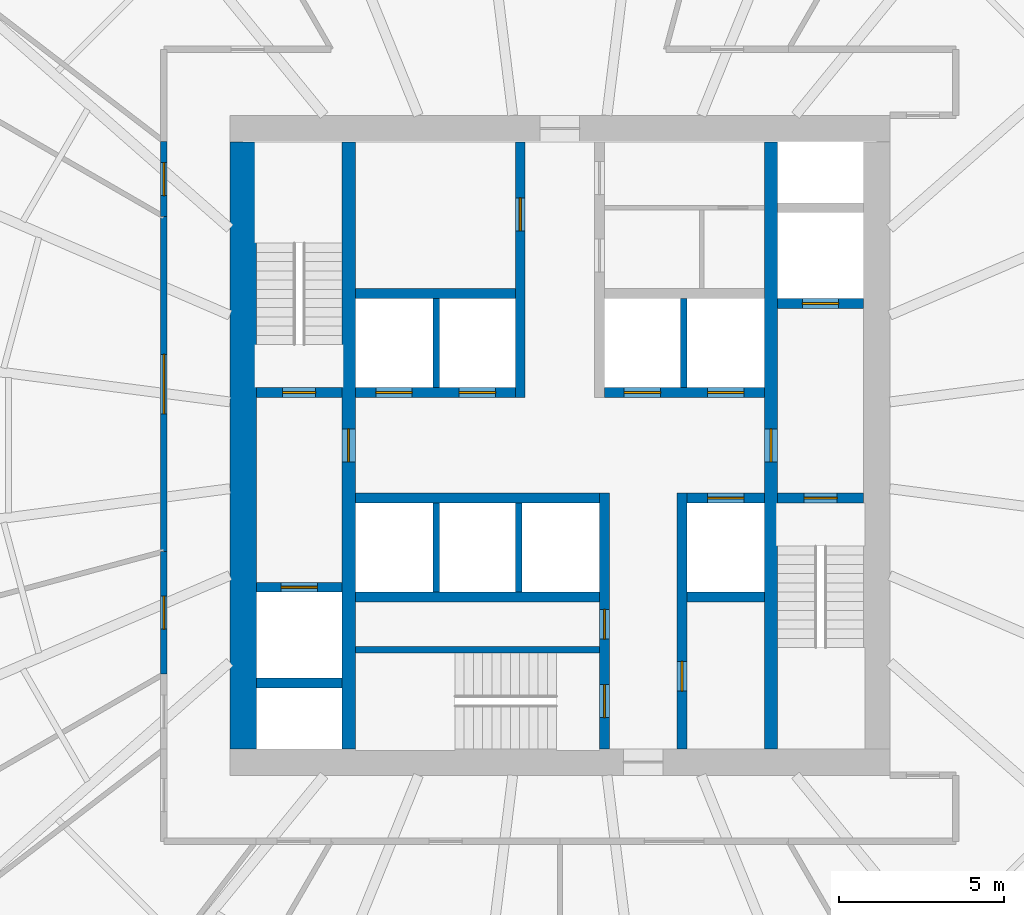
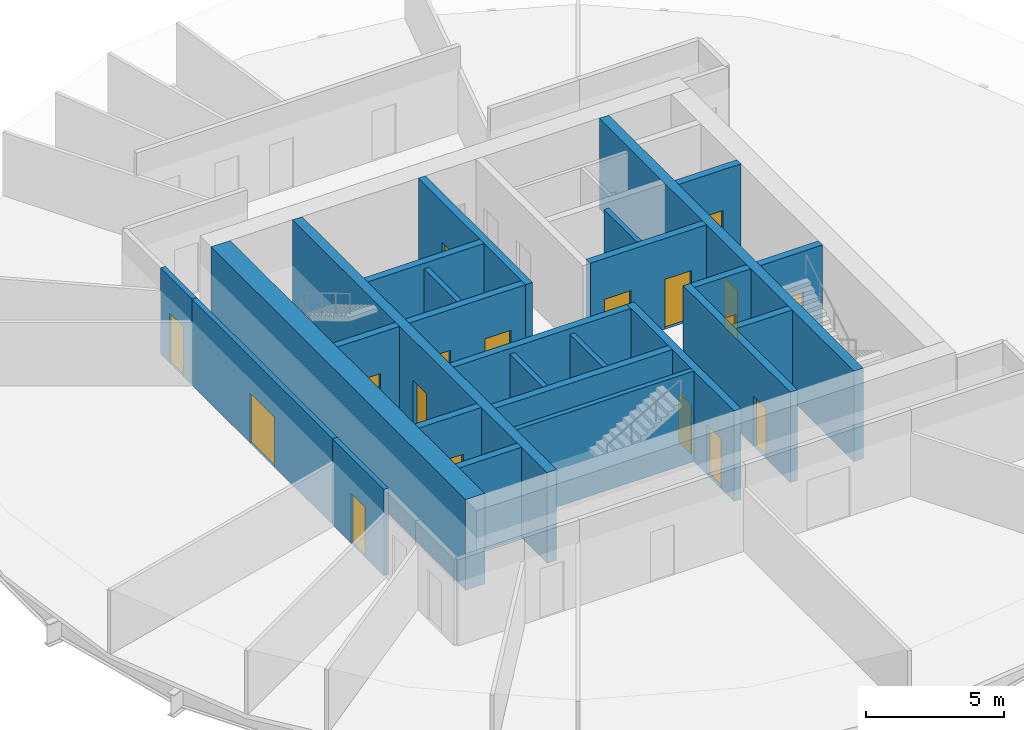
# One storey, part 3 of 6: 26 walls, 18 doors, 18 openings.
"""IFC4 building model written with IfcOpenShell, lengths in metres."""

from ifc_helpers import new_model, si_unit, direction, frame, frame_2d, origin, place, context, subcontext, project, spatial, rectangle, extrude, material, layer, layer_set, type_object, element, fill, save


model = new_model("IFC4")

# Units and contexts
model_context = context("Model", 3, precision=1e-05, world=origin(), true_north=direction((0.0, 1.0)))
body_context = subcontext(model_context, "Body", "Model", "MODEL_VIEW")
ifc_project = project(units=[si_unit("LENGTHUNIT", "METRE"), si_unit("AREAUNIT", "SQUARE_METRE"), si_unit("VOLUMEUNIT", "CUBIC_METRE"), si_unit("PLANEANGLEUNIT", "RADIAN"), si_unit("MASSUNIT", "GRAM", prefix="KILO")], contexts=[model_context])

# Site, building, storey
site_placement = place(None, origin())
site = spatial("IfcSite", under=ifc_project, at=site_placement, CompositionType="ELEMENT")
building_placement = place(site_placement, origin())
building = spatial("IfcBuilding", under=site, at=building_placement, Name="Golbaran Civic Tower", CompositionType="ELEMENT")
storey_placement = place(building_placement, frame((0.0, 0.0, 77.0)))
storey = spatial("IfcBuildingStorey", under=building, at=storey_placement, Name="L18", CompositionType="ELEMENT", Elevation=77.0)

# Wall, opening, door
ifc_material_1 = material(Name="Concrete C50/60", Category="concrete")
ifc_layer_1 = layer(ifc_material_1, 0.39990234375, Name="Concrete C50/60")
ifc_layer_set_1 = layer_set([ifc_layer_1], Name="Concrete C50/60")
wall_type_1 = type_object("IfcWallType", Name="CORE WALL CONCRETE 400", PredefinedType="SOLIDWALL", material=ifc_layer_set_1)
wall_1_placement = place(storey_placement, frame((-6.39990234375, -9.199951171875, 0.0), z_axis=(0.0, 0.0, 1.0), x_axis=(0.0, 1.0, 0.0)))
wall_1 = element("IfcWall", 1, at=wall_1_placement, inside=storey, type_object=wall_type_1, Name="Core wall IW L18", PredefinedType="SOLIDWALL", context=body_context, shape_type="SweptSolid", body=[
    extrude(rectangle(XDim=18.39990234375, YDim=0.39990234375, at=frame_2d((9.199951171875, 0.0))), origin(), (0.0, 0.0, 1.0), 4.0),
])
opening_1_placement = place(wall_1_placement, frame((8.699951171875, 0.0, 0.0)))
opening_1 = element("IfcOpeningElement", 2, at=opening_1_placement, cuts=wall_1, Name="Opening L18.FL1", PredefinedType="OPENING", context=body_context, shape_type="SweptSolid", body=[
    extrude(rectangle(XDim=1.0, YDim=2.199951171875, at=frame_2d((0.5, 1.10009765625))), frame((0.0, 0.2099609375, 0.0), z_axis=(0.0, -1.0, 0.0), x_axis=(1.0, 0.0, 0.0)), (0.0, 0.0, 1.0), 0.419921875),
])
ifc_material_2 = material(Name="Timber door set in steel frame", Category="steel")
door_type_1 = type_object("IfcDoorType", Name="STAIR DOOR 1000x2200", OperationType="SINGLE_SWING_LEFT", PredefinedType="DOOR", material=ifc_material_2)
door_1_placement = place(opening_1_placement, origin())
door_1 = element("IfcDoor", 3, at=door_1_placement, inside=storey, type_object=door_type_1, Name="Fire-fighting lobby FL1 door", OperationType="SINGLE_SWING_LEFT", OverallHeight=2.199951171875, OverallWidth=1.0, PredefinedType="DOOR", context=body_context, shape_type="SweptSolid", body=[
    extrude(rectangle(XDim=1.0, YDim=2.199951171875, at=frame_2d((0.5, 1.10009765625))), frame((0.0, 0.02490234375, 0.0), z_axis=(0.0, -1.0, 0.0), x_axis=(1.0, 0.0, 0.0)), (0.0, 0.0, 1.0), 0.050048828125),
])
fill(opening_1, door_1)

wall_2_placement = place(storey_placement, frame((6.39990234375, 9.199951171875, 0.0), z_axis=(0.0, 0.0, 1.0), x_axis=(0.0, -1.0, 0.0)))
wall_2 = element("IfcWall", 4, at=wall_2_placement, inside=storey, type_object=wall_type_1, Name="Core wall IE L18", PredefinedType="SOLIDWALL", context=body_context, shape_type="SweptSolid", body=[
    extrude(rectangle(XDim=18.39990234375, YDim=0.39990234375, at=frame_2d((9.199951171875, 0.0))), origin(), (0.0, 0.0, 1.0), 4.0),
])
opening_2_placement = place(wall_2_placement, frame((8.699951171875, 0.0, 0.0)))
opening_2 = element("IfcOpeningElement", 5, at=opening_2_placement, cuts=wall_2, Name="Opening L18.FL2", PredefinedType="OPENING", context=body_context, shape_type="SweptSolid", body=[
    extrude(rectangle(XDim=1.0, YDim=2.199951171875, at=frame_2d((0.5, 1.10009765625))), frame((0.0, 0.2099609375, 0.0), z_axis=(0.0, -1.0, 0.0), x_axis=(1.0, 0.0, 0.0)), (0.0, 0.0, 1.0), 0.419921875),
])
door_2_placement = place(opening_2_placement, origin())
door_2 = element("IfcDoor", 6, at=door_2_placement, inside=storey, type_object=door_type_1, Name="Fire-fighting lobby FL2 door", OperationType="SINGLE_SWING_RIGHT", OverallHeight=2.199951171875, OverallWidth=1.0, PredefinedType="DOOR", context=body_context, shape_type="SweptSolid", body=[
    extrude(rectangle(XDim=1.0, YDim=2.199951171875, at=frame_2d((0.5, 1.10009765625))), frame((0.0, 0.02490234375, 0.0), z_axis=(0.0, -1.0, 0.0), x_axis=(1.0, 0.0, 0.0)), (0.0, 0.0, 1.0), 0.050048828125),
])
fill(opening_2, door_2)

# Wall
ifc_layer_2 = layer(ifc_material_1, 0.800048828125, Name="Concrete C50/60")
ifc_layer_set_2 = layer_set([ifc_layer_2], Name="Concrete C50/60")
wall_type_2 = type_object("IfcWallType", Name="CORE WALL CONCRETE 800", PredefinedType="SOLIDWALL", material=ifc_layer_set_2)
wall_3_placement = place(storey_placement, frame((-9.60009765625, 9.199951171875, 0.0), z_axis=(0.0, 0.0, 1.0), x_axis=(0.0, -1.0, 0.0)))
element("IfcWall", 7, at=wall_3_placement, inside=storey, type_object=wall_type_2, Name="Core wall CW L18", PredefinedType="SOLIDWALL", context=body_context, shape_type="SweptSolid", body=[
    extrude(rectangle(XDim=18.39990234375, YDim=0.800048828125, at=frame_2d((9.199951171875, 0.0))), origin(), (0.0, 0.0, 1.0), 4.0),
])

# Wall, opening, door
ifc_material_3 = material(Name="Gypsum board on steel studs, fire-rated", Category="steel")
ifc_layer_3 = layer(ifc_material_3, 0.199951171875, Name="Gypsum board on steel studs, fire-rated")
ifc_layer_set_3 = layer_set([ifc_layer_3], Name="Gypsum board on steel studs, fire-rated")
wall_type_3 = type_object("IfcWallType", Name="CORRIDOR WALL 200", PredefinedType="PARTITIONING", material=ifc_layer_set_3)
wall_4_placement = place(storey_placement, frame((-12.0, 9.2080078125, 0.0), z_axis=(0.0, 0.0, 1.0), x_axis=(0.0, -1.0, 0.0)))
wall_4 = element("IfcWall", 8, at=wall_4_placement, inside=storey, type_object=wall_type_3, Name="Corridor wall L18", PredefinedType="PARTITIONING", context=body_context, shape_type="SweptSolid", body=[
    extrude(rectangle(XDim=2.27978515625, YDim=0.199951171875, at=frame_2d((1.139892578125, 0.0))), origin(), (0.0, 0.0, 1.0), 3.800048828125),
])
opening_3_placement = place(wall_4_placement, frame((0.639892578125, 0.0, 0.0)))
opening_3 = element("IfcOpeningElement", 9, at=opening_3_placement, cuts=wall_4, Name="Opening L18.07", PredefinedType="OPENING", context=body_context, shape_type="SweptSolid", body=[
    extrude(rectangle(XDim=1.0, YDim=2.199951171875, at=frame_2d((0.5, 1.10009765625))), frame((0.0, 0.10986328125, 0.0), z_axis=(0.0, -1.0, 0.0), x_axis=(1.0, 0.0, 0.0)), (0.0, 0.0, 1.0), 0.219970703125),
])
door_type_2 = type_object("IfcDoorType", Name="OFFICE DOOR 1000x2200", OperationType="SINGLE_SWING_LEFT", PredefinedType="DOOR", material=ifc_material_2)
door_3_placement = place(opening_3_placement, origin())
door_3 = element("IfcDoor", 10, at=door_3_placement, inside=storey, type_object=door_type_2, Name="Store door L18", OperationType="SINGLE_SWING_RIGHT", OverallHeight=2.199951171875, OverallWidth=1.0, PredefinedType="DOOR", context=body_context, shape_type="SweptSolid", body=[
    extrude(rectangle(XDim=1.0, YDim=2.199951171875, at=frame_2d((0.5, 1.10009765625))), frame((0.0, 0.02490234375, 0.0), z_axis=(0.0, -1.0, 0.0), x_axis=(1.0, 0.0, 0.0)), (0.0, 0.0, 1.0), 0.050048828125),
])
fill(opening_3, door_3)

wall_5_placement = place(storey_placement, frame((-12.0, 6.92822265625, 0.0), z_axis=(0.0, 0.0, 1.0), x_axis=(0.0, -1.0, 0.0)))
wall_5 = element("IfcWall", 11, at=wall_5_placement, inside=storey, type_object=wall_type_3, Name="Corridor wall L18", PredefinedType="PARTITIONING", context=body_context, shape_type="SweptSolid", body=[
    extrude(rectangle(XDim=10.1435546875, YDim=0.199951171875, at=frame_2d((5.07177734375, 0.0))), origin(), (0.0, 0.0, 1.0), 3.800048828125),
])
opening_4_placement = place(wall_5_placement, frame((4.171875, 0.0, 0.0)))
opening_4 = element("IfcOpeningElement", 12, at=opening_4_placement, cuts=wall_5, Name="Opening L18.08", PredefinedType="OPENING", context=body_context, shape_type="SweptSolid", body=[
    extrude(rectangle(XDim=1.800048828125, YDim=2.199951171875, at=frame_2d((0.89990234375, 1.10009765625))), frame((0.0, 0.10986328125, 0.0), z_axis=(0.0, -1.0, 0.0), x_axis=(1.0, 0.0, 0.0)), (0.0, 0.0, 1.0), 0.219970703125),
])
door_type_3 = type_object("IfcDoorType", Name="OFFICE DOUBLE DOOR 1800x2200", OperationType="DOUBLE_DOOR_SINGLE_SWING", PredefinedType="DOOR", material=ifc_material_2)
door_4_placement = place(opening_4_placement, origin())
door_4 = element("IfcDoor", 13, at=door_4_placement, inside=storey, type_object=door_type_3, Name="Open Office door L18", OperationType="DOUBLE_DOOR_SINGLE_SWING", OverallHeight=2.199951171875, OverallWidth=1.800048828125, PredefinedType="DOOR", context=body_context, shape_type="SweptSolid", body=[
    extrude(rectangle(XDim=1.800048828125, YDim=2.199951171875, at=frame_2d((0.89990234375, 1.10009765625))), frame((0.0, 0.02490234375, 0.0), z_axis=(0.0, -1.0, 0.0), x_axis=(1.0, 0.0, 0.0)), (0.0, 0.0, 1.0), 0.050048828125),
])
fill(opening_4, door_4)

wall_6_placement = place(storey_placement, frame((-12.0, -3.21533203125, 0.0), z_axis=(0.0, 0.0, 1.0), x_axis=(0.0, -1.0, 0.0)))
wall_6 = element("IfcWall", 14, at=wall_6_placement, inside=storey, type_object=wall_type_3, Name="Corridor wall L18", PredefinedType="PARTITIONING", context=body_context, shape_type="SweptSolid", body=[
    extrude(rectangle(XDim=3.712890625, YDim=0.199951171875, at=frame_2d((1.8564453125, 0.0))), origin(), (0.0, 0.0, 1.0), 3.800048828125),
])
opening_5_placement = place(wall_6_placement, frame((1.3564453125, 0.0, 0.0)))
opening_5 = element("IfcOpeningElement", 15, at=opening_5_placement, cuts=wall_6, Name="Opening L18.09", PredefinedType="OPENING", context=body_context, shape_type="SweptSolid", body=[
    extrude(rectangle(XDim=1.0, YDim=2.199951171875, at=frame_2d((0.5, 1.10009765625))), frame((0.0, 0.10986328125, 0.0), z_axis=(0.0, -1.0, 0.0), x_axis=(1.0, 0.0, 0.0)), (0.0, 0.0, 1.0), 0.219970703125),
])
door_5_placement = place(opening_5_placement, origin())
door_5 = element("IfcDoor", 16, at=door_5_placement, inside=storey, type_object=door_type_2, Name="Interview Room door L18", OperationType="SINGLE_SWING_RIGHT", OverallHeight=2.199951171875, OverallWidth=1.0, PredefinedType="DOOR", context=body_context, shape_type="SweptSolid", body=[
    extrude(rectangle(XDim=1.0, YDim=2.199951171875, at=frame_2d((0.5, 1.10009765625))), frame((0.0, 0.02490234375, 0.0), z_axis=(0.0, -1.0, 0.0), x_axis=(1.0, 0.0, 0.0)), (0.0, 0.0, 1.0), 0.050048828125),
])
fill(opening_5, door_5)

# Walls
ifc_material_4 = material(Name="Concrete block", Category="concrete")
ifc_layer_4 = layer(ifc_material_4, 0.199951171875, Name="Concrete block")
ifc_layer_set_4 = layer_set([ifc_layer_4], Name="Concrete block")
wall_type_4 = type_object("IfcWallType", Name="LIFT SEPARATOR WALL 200", PredefinedType="SOLIDWALL", material=ifc_layer_set_4)
for number, where, z_axis, x_axis, name in (
    (17, (-3.75, 1.75, 0.0), (0.0, 0.0, 1.0), (0.0, 1.0, 0.0), "Core partition SNW L18"),
    (18, (3.75, 1.75, 0.0), (0.0, 0.0, 1.0), (0.0, 1.0, 0.0), "Core partition SNE L18"),
    (19, (-3.75, -1.75, 0.0), (0.0, 0.0, 1.0), (0.0, -1.0, 0.0), "Core partition SSW L18"),
    (20, (-1.25, -1.75, 0.0), (0.0, 0.0, 1.0), (0.0, -1.0, 0.0), "Core partition SSM L18"),
):
    element("IfcWall", number, at=place(storey_placement, frame(where, z_axis=z_axis, x_axis=x_axis)), inside=storey, type_object=wall_type_4, Name=name, PredefinedType="SOLIDWALL", context=body_context, shape_type="SweptSolid", body=[
        extrude(rectangle(XDim=2.699951171875, YDim=0.199951171875, at=frame_2d((1.35009765625, 0.0))), origin(), (0.0, 0.0, 1.0), 3.75),
    ])
ifc_layer_5 = layer(ifc_material_1, 0.199951171875, Name="Concrete C50/60")
ifc_layer_set_5 = layer_set([ifc_layer_5], Name="Concrete C50/60")
wall_type_5 = type_object("IfcWallType", Name="SHAFT WALL CONCRETE 200", PredefinedType="SOLIDWALL", material=ifc_layer_set_5)
wall_7_placement = place(storey_placement, frame((-6.199951171875, -6.199951171875, 0.0), z_axis=(0.0, 0.0, 1.0), x_axis=(1.0, 0.0, 0.0)))
element("IfcWall", 21, at=wall_7_placement, inside=storey, type_object=wall_type_5, Name="Core wall S3N L18", PredefinedType="SOLIDWALL", context=body_context, shape_type="SweptSolid", body=[
    extrude(rectangle(XDim=7.39990234375, YDim=0.199951171875, at=frame_2d((3.699951171875, 0.0))), origin(), (0.0, 0.0, 1.0), 4.0),
])

# Wall, openings, doors
ifc_layer_6 = layer(ifc_material_1, 0.300048828125, Name="Concrete C50/60")
ifc_layer_set_6 = layer_set([ifc_layer_6], Name="Concrete C50/60")
wall_type_6 = type_object("IfcWallType", Name="SHAFT WALL CONCRETE 300", PredefinedType="SOLIDWALL", material=ifc_layer_set_6)
wall_8_placement = place(storey_placement, frame((-6.199951171875, 1.60009765625, 0.0), z_axis=(0.0, 0.0, 1.0), x_axis=(1.0, 0.0, 0.0)))
wall_8 = element("IfcWall", 22, at=wall_8_placement, inside=storey, type_object=wall_type_6, Name="Core wall FNW L18", PredefinedType="SOLIDWALL", context=body_context, shape_type="SweptSolid", body=[
    extrude(rectangle(XDim=4.849853515625, YDim=0.300048828125, at=frame_2d((2.4248046875, 0.0))), origin(), (0.0, 0.0, 1.0), 4.0),
])
opening_6_placement = place(wall_8_placement, frame((0.625, 0.0, 0.0)))
opening_6 = element("IfcOpeningElement", 23, at=opening_6_placement, cuts=wall_8, Name="Opening L18.LD-Z1L", PredefinedType="OPENING", context=body_context, shape_type="SweptSolid", body=[
    extrude(rectangle(XDim=1.10009765625, YDim=2.199951171875, at=frame_2d((0.550048828125, 1.10009765625))), frame((0.0, 0.159912109375, 0.0), z_axis=(0.0, -1.0, 0.0), x_axis=(1.0, 0.0, 0.0)), (0.0, 0.0, 1.0), 0.320068359375),
])
opening_7_placement = place(wall_8_placement, frame((3.14990234375, 0.0, 0.0)))
opening_7 = element("IfcOpeningElement", 24, at=opening_7_placement, cuts=wall_8, Name="Opening L18.LD-Z2L", PredefinedType="OPENING", context=body_context, shape_type="SweptSolid", body=[
    extrude(rectangle(XDim=1.10009765625, YDim=2.199951171875, at=frame_2d((0.550048828125, 1.10009765625))), frame((0.0, 0.159912109375, 0.0), z_axis=(0.0, -1.0, 0.0), x_axis=(1.0, 0.0, 0.0)), (0.0, 0.0, 1.0), 0.320068359375),
])
ifc_material_5 = material(Name="Stainless steel", Category="steel")
door_type_4 = type_object("IfcDoorType", Name="LIFT LANDING DOOR 1100x2200", OperationType="SLIDING_TO_LEFT", PredefinedType="DOOR", material=ifc_material_5)
door_6_placement = place(opening_6_placement, origin())
door_6 = element("IfcDoor", 25, at=door_6_placement, inside=storey, type_object=door_type_4, Name="Lift landing door Z1L", OperationType="SLIDING_TO_LEFT", OverallHeight=2.199951171875, OverallWidth=1.10009765625, PredefinedType="DOOR", context=body_context, shape_type="SweptSolid", body=[
    extrude(rectangle(XDim=1.10009765625, YDim=2.199951171875, at=frame_2d((0.550048828125, 1.10009765625))), frame((0.0, 0.02490234375, 0.0), z_axis=(0.0, -1.0, 0.0), x_axis=(1.0, 0.0, 0.0)), (0.0, 0.0, 1.0), 0.050048828125),
])
fill(opening_6, door_6)
door_7_placement = place(opening_7_placement, origin())
door_7 = element("IfcDoor", 26, at=door_7_placement, inside=storey, type_object=door_type_4, Name="Lift landing door Z2L", OperationType="SLIDING_TO_LEFT", OverallHeight=2.199951171875, OverallWidth=1.10009765625, PredefinedType="DOOR", context=body_context, shape_type="SweptSolid", body=[
    extrude(rectangle(XDim=1.10009765625, YDim=2.199951171875, at=frame_2d((0.550048828125, 1.10009765625))), frame((0.0, 0.02490234375, 0.0), z_axis=(0.0, -1.0, 0.0), x_axis=(1.0, 0.0, 0.0)), (0.0, 0.0, 1.0), 0.050048828125),
])
fill(opening_7, door_7)

wall_9_placement = place(storey_placement, frame((1.35009765625, 1.60009765625, 0.0), z_axis=(0.0, 0.0, 1.0), x_axis=(1.0, 0.0, 0.0)))
wall_9 = element("IfcWall", 27, at=wall_9_placement, inside=storey, type_object=wall_type_6, Name="Core wall FNE L18", PredefinedType="SOLIDWALL", context=body_context, shape_type="SweptSolid", body=[
    extrude(rectangle(XDim=4.849853515625, YDim=0.300048828125, at=frame_2d((2.4248046875, 0.0))), origin(), (0.0, 0.0, 1.0), 4.0),
])
opening_8_placement = place(wall_9_placement, frame((0.60009765625, 0.0, 0.0)))
opening_8 = element("IfcOpeningElement", 28, at=opening_8_placement, cuts=wall_9, Name="Opening L18.LD-Z3L", PredefinedType="OPENING", context=body_context, shape_type="SweptSolid", body=[
    extrude(rectangle(XDim=1.10009765625, YDim=2.199951171875, at=frame_2d((0.550048828125, 1.10009765625))), frame((0.0, 0.159912109375, 0.0), z_axis=(0.0, -1.0, 0.0), x_axis=(1.0, 0.0, 0.0)), (0.0, 0.0, 1.0), 0.320068359375),
])
opening_9_placement = place(wall_9_placement, frame((3.125, 0.0, 0.0)))
opening_9 = element("IfcOpeningElement", 29, at=opening_9_placement, cuts=wall_9, Name="Opening L18.LD-Z4L", PredefinedType="OPENING", context=body_context, shape_type="SweptSolid", body=[
    extrude(rectangle(XDim=1.10009765625, YDim=2.199951171875, at=frame_2d((0.550048828125, 1.10009765625))), frame((0.0, 0.159912109375, 0.0), z_axis=(0.0, -1.0, 0.0), x_axis=(1.0, 0.0, 0.0)), (0.0, 0.0, 1.0), 0.320068359375),
])
door_8_placement = place(opening_8_placement, origin())
door_8 = element("IfcDoor", 30, at=door_8_placement, inside=storey, type_object=door_type_4, Name="Lift landing door Z3L", OperationType="SLIDING_TO_LEFT", OverallHeight=2.199951171875, OverallWidth=1.10009765625, PredefinedType="DOOR", context=body_context, shape_type="SweptSolid", body=[
    extrude(rectangle(XDim=1.10009765625, YDim=2.199951171875, at=frame_2d((0.550048828125, 1.10009765625))), frame((0.0, 0.02490234375, 0.0), z_axis=(0.0, -1.0, 0.0), x_axis=(1.0, 0.0, 0.0)), (0.0, 0.0, 1.0), 0.050048828125),
])
fill(opening_8, door_8)
door_9_placement = place(opening_9_placement, origin())
door_9 = element("IfcDoor", 31, at=door_9_placement, inside=storey, type_object=door_type_4, Name="Lift landing door Z4L", OperationType="SLIDING_TO_LEFT", OverallHeight=2.199951171875, OverallWidth=1.10009765625, PredefinedType="DOOR", context=body_context, shape_type="SweptSolid", body=[
    extrude(rectangle(XDim=1.10009765625, YDim=2.199951171875, at=frame_2d((0.550048828125, 1.10009765625))), frame((0.0, 0.02490234375, 0.0), z_axis=(0.0, -1.0, 0.0), x_axis=(1.0, 0.0, 0.0)), (0.0, 0.0, 1.0), 0.050048828125),
])
fill(opening_9, door_9)

# Wall
wall_10_placement = place(storey_placement, frame((-6.199951171875, 4.60009765625, 0.0), z_axis=(0.0, 0.0, 1.0), x_axis=(1.0, 0.0, 0.0)))
element("IfcWall", 32, at=wall_10_placement, inside=storey, type_object=wall_type_6, Name="Core wall BNW L18", PredefinedType="SOLIDWALL", context=body_context, shape_type="SweptSolid", body=[
    extrude(rectangle(XDim=4.849853515625, YDim=0.300048828125, at=frame_2d((2.4248046875, 0.0))), origin(), (0.0, 0.0, 1.0), 4.0),
])

# Wall, opening, door
wall_11_placement = place(storey_placement, frame((-1.199951171875, 1.449951171875, 0.0), z_axis=(0.0, 0.0, 1.0), x_axis=(0.0, 1.0, 0.0)))
wall_11 = element("IfcWall", 33, at=wall_11_placement, inside=storey, type_object=wall_type_6, Name="Core wall PNW L18", PredefinedType="SOLIDWALL", context=body_context, shape_type="SweptSolid", body=[
    extrude(rectangle(XDim=7.75, YDim=0.300048828125, at=frame_2d((3.875, 0.0))), origin(), (0.0, 0.0, 1.0), 4.0),
])
opening_10_placement = place(wall_11_placement, frame((5.050048828125, 0.0, 0.0)))
opening_10 = element("IfcOpeningElement", 34, at=opening_10_placement, cuts=wall_11, Name="Opening L18.WCM", PredefinedType="OPENING", context=body_context, shape_type="SweptSolid", body=[
    extrude(rectangle(XDim=1.0, YDim=2.199951171875, at=frame_2d((0.5, 1.10009765625))), frame((0.0, 0.159912109375, 0.0), z_axis=(0.0, -1.0, 0.0), x_axis=(1.0, 0.0, 0.0)), (0.0, 0.0, 1.0), 0.320068359375),
])
door_type_5 = type_object("IfcDoorType", Name="TOILET DOOR 1000x2200", OperationType="SINGLE_SWING_LEFT", PredefinedType="DOOR", material=ifc_material_2)
door_10_placement = place(opening_10_placement, origin())
door_10 = element("IfcDoor", 35, at=door_10_placement, inside=storey, type_object=door_type_5, Name="North-west toilet block door", OperationType="SINGLE_SWING_RIGHT", OverallHeight=2.199951171875, OverallWidth=1.0, PredefinedType="DOOR", context=body_context, shape_type="SweptSolid", body=[
    extrude(rectangle(XDim=1.0, YDim=2.199951171875, at=frame_2d((0.5, 1.10009765625))), frame((0.0, 0.02490234375, 0.0), z_axis=(0.0, -1.0, 0.0), x_axis=(1.0, 0.0, 0.0)), (0.0, 0.0, 1.0), 0.050048828125),
])
fill(opening_10, door_10)

# Wall
wall_12_placement = place(storey_placement, frame((-6.199951171875, -1.60009765625, 0.0), z_axis=(0.0, 0.0, 1.0), x_axis=(1.0, 0.0, 0.0)))
element("IfcWall", 36, at=wall_12_placement, inside=storey, type_object=wall_type_6, Name="Core wall FSW L18", PredefinedType="SOLIDWALL", context=body_context, shape_type="SweptSolid", body=[
    extrude(rectangle(XDim=7.39990234375, YDim=0.300048828125, at=frame_2d((3.699951171875, 0.0))), origin(), (0.0, 0.0, 1.0), 4.0),
])

# Wall, opening, door
wall_13_placement = place(storey_placement, frame((3.85009765625, -1.60009765625, 0.0), z_axis=(0.0, 0.0, 1.0), x_axis=(1.0, 0.0, 0.0)))
wall_13 = element("IfcWall", 37, at=wall_13_placement, inside=storey, type_object=wall_type_6, Name="Core wall FSE L18", PredefinedType="SOLIDWALL", context=body_context, shape_type="SweptSolid", body=[
    extrude(rectangle(XDim=2.349853515625, YDim=0.300048828125, at=frame_2d((1.1748046875, 0.0))), origin(), (0.0, 0.0, 1.0), 4.0),
])
opening_11_placement = place(wall_13_placement, frame((0.625, 0.0, 0.0)))
opening_11 = element("IfcOpeningElement", 38, at=opening_11_placement, cuts=wall_13, Name="Opening L18.LD-V1", PredefinedType="OPENING", context=body_context, shape_type="SweptSolid", body=[
    extrude(rectangle(XDim=1.10009765625, YDim=2.199951171875, at=frame_2d((0.550048828125, 1.10009765625))), frame((0.0, 0.159912109375, 0.0), z_axis=(0.0, -1.0, 0.0), x_axis=(1.0, 0.0, 0.0)), (0.0, 0.0, 1.0), 0.320068359375),
])
door_11_placement = place(opening_11_placement, origin())
door_11 = element("IfcDoor", 39, at=door_11_placement, inside=storey, type_object=door_type_4, Name="Lift landing door V1", OperationType="SLIDING_TO_LEFT", OverallHeight=2.199951171875, OverallWidth=1.10009765625, PredefinedType="DOOR", context=body_context, shape_type="SweptSolid", body=[
    extrude(rectangle(XDim=1.10009765625, YDim=2.199951171875, at=frame_2d((0.550048828125, 1.10009765625))), frame((0.0, 0.02490234375, 0.0), z_axis=(0.0, -1.0, 0.0), x_axis=(1.0, 0.0, 0.0)), (0.0, 0.0, 1.0), 0.050048828125),
])
fill(opening_11, door_11)

# Walls
wall_14_placement = place(storey_placement, frame((-6.199951171875, -4.60009765625, 0.0), z_axis=(0.0, 0.0, 1.0), x_axis=(1.0, 0.0, 0.0)))
element("IfcWall", 40, at=wall_14_placement, inside=storey, type_object=wall_type_6, Name="Core wall BSW L18", PredefinedType="SOLIDWALL", context=body_context, shape_type="SweptSolid", body=[
    extrude(rectangle(XDim=7.39990234375, YDim=0.300048828125, at=frame_2d((3.699951171875, 0.0))), origin(), (0.0, 0.0, 1.0), 4.0),
])
wall_15_placement = place(storey_placement, frame((3.85009765625, -4.60009765625, 0.0), z_axis=(0.0, 0.0, 1.0), x_axis=(1.0, 0.0, 0.0)))
element("IfcWall", 41, at=wall_15_placement, inside=storey, type_object=wall_type_6, Name="Core wall BSE L18", PredefinedType="SOLIDWALL", context=body_context, shape_type="SweptSolid", body=[
    extrude(rectangle(XDim=2.349853515625, YDim=0.300048828125, at=frame_2d((1.1748046875, 0.0))), origin(), (0.0, 0.0, 1.0), 4.0),
])

# Wall, openings, doors
wall_16_placement = place(storey_placement, frame((1.35009765625, -1.449951171875, 0.0), z_axis=(0.0, 0.0, 1.0), x_axis=(0.0, -1.0, 0.0)))
wall_16 = element("IfcWall", 42, at=wall_16_placement, inside=storey, type_object=wall_type_6, Name="Core wall PSW L18", PredefinedType="SOLIDWALL", context=body_context, shape_type="SweptSolid", body=[
    extrude(rectangle(XDim=7.75, YDim=0.300048828125, at=frame_2d((3.875, 0.0))), origin(), (0.0, 0.0, 1.0), 4.0),
])
opening_12_placement = place(wall_16_placement, frame((5.800048828125, 0.0, 0.0)))
opening_12 = element("IfcOpeningElement", 43, at=opening_12_placement, cuts=wall_16, Name="Opening L18.S3", PredefinedType="OPENING", context=body_context, shape_type="SweptSolid", body=[
    extrude(rectangle(XDim=1.0, YDim=2.199951171875, at=frame_2d((0.5, 1.10009765625))), frame((0.0, 0.159912109375, 0.0), z_axis=(0.0, -1.0, 0.0), x_axis=(1.0, 0.0, 0.0)), (0.0, 0.0, 1.0), 0.320068359375),
])
opening_13_placement = place(wall_16_placement, frame((3.52490234375, 0.0, 0.0)))
opening_13 = element("IfcOpeningElement", 44, at=opening_13_placement, cuts=wall_16, Name="Opening L18.RE", PredefinedType="OPENING", context=body_context, shape_type="SweptSolid", body=[
    extrude(rectangle(XDim=0.89990234375, YDim=2.199951171875, at=frame_2d((0.449951171875, 1.10009765625))), frame((0.0, 0.159912109375, 0.0), z_axis=(0.0, -1.0, 0.0), x_axis=(1.0, 0.0, 0.0)), (0.0, 0.0, 1.0), 0.320068359375),
])
door_type_6 = type_object("IfcDoorType", Name="RISER DOOR 900x2200", OperationType="SINGLE_SWING_LEFT", PredefinedType="DOOR", material=ifc_material_2)
door_12_placement = place(opening_13_placement, origin())
door_12 = element("IfcDoor", 45, at=door_12_placement, inside=storey, type_object=door_type_6, Name="Electrical riser door", OperationType="SINGLE_SWING_RIGHT", OverallHeight=2.199951171875, OverallWidth=0.89990234375, PredefinedType="DOOR", context=body_context, shape_type="SweptSolid", body=[
    extrude(rectangle(XDim=0.89990234375, YDim=2.199951171875, at=frame_2d((0.449951171875, 1.10009765625))), frame((0.0, 0.02490234375, 0.0), z_axis=(0.0, -1.0, 0.0), x_axis=(1.0, 0.0, 0.0)), (0.0, 0.0, 1.0), 0.050048828125),
])
fill(opening_13, door_12)
door_13_placement = place(opening_12_placement, origin())
door_13 = element("IfcDoor", 46, at=door_13_placement, inside=storey, type_object=door_type_1, Name="Stair S3 door", OperationType="SINGLE_SWING_RIGHT", OverallHeight=2.199951171875, OverallWidth=1.0, PredefinedType="DOOR", context=body_context, shape_type="SweptSolid", body=[
    extrude(rectangle(XDim=1.0, YDim=2.199951171875, at=frame_2d((0.5, 1.10009765625))), frame((0.0, 0.02490234375, 0.0), z_axis=(0.0, -1.0, 0.0), x_axis=(1.0, 0.0, 0.0)), (0.0, 0.0, 1.0), 0.050048828125),
])
fill(opening_12, door_13)

# Wall, opening, door
wall_17_placement = place(storey_placement, frame((3.699951171875, -1.449951171875, 0.0), z_axis=(0.0, 0.0, 1.0), x_axis=(0.0, -1.0, 0.0)))
wall_17 = element("IfcWall", 47, at=wall_17_placement, inside=storey, type_object=wall_type_6, Name="Core wall PSE L18", PredefinedType="SOLIDWALL", context=body_context, shape_type="SweptSolid", body=[
    extrude(rectangle(XDim=7.75, YDim=0.300048828125, at=frame_2d((3.875, 0.0))), origin(), (0.0, 0.0, 1.0), 4.0),
])
opening_14_placement = place(wall_17_placement, frame((5.10009765625, 0.0, 0.0)))
opening_14 = element("IfcOpeningElement", 48, at=opening_14_placement, cuts=wall_17, Name="Opening L18.RM", PredefinedType="OPENING", context=body_context, shape_type="SweptSolid", body=[
    extrude(rectangle(XDim=0.89990234375, YDim=2.199951171875, at=frame_2d((0.449951171875, 1.10009765625))), frame((0.0, 0.159912109375, 0.0), z_axis=(0.0, -1.0, 0.0), x_axis=(1.0, 0.0, 0.0)), (0.0, 0.0, 1.0), 0.320068359375),
])
door_14_placement = place(opening_14_placement, origin())
door_14 = element("IfcDoor", 49, at=door_14_placement, inside=storey, type_object=door_type_6, Name="Mechanical riser door", OperationType="SINGLE_SWING_RIGHT", OverallHeight=2.199951171875, OverallWidth=0.89990234375, PredefinedType="DOOR", context=body_context, shape_type="SweptSolid", body=[
    extrude(rectangle(XDim=0.89990234375, YDim=2.199951171875, at=frame_2d((0.449951171875, 1.10009765625))), frame((0.0, 0.02490234375, 0.0), z_axis=(0.0, -1.0, 0.0), x_axis=(1.0, 0.0, 0.0)), (0.0, 0.0, 1.0), 0.050048828125),
])
fill(opening_14, door_14)

wall_18_placement = place(storey_placement, frame((-9.199951171875, 1.60009765625, 0.0), z_axis=(0.0, 0.0, 1.0), x_axis=(1.0, 0.0, 0.0)))
wall_18 = element("IfcWall", 50, at=wall_18_placement, inside=storey, type_object=wall_type_6, Name="Core wall XW1 L18", PredefinedType="SOLIDWALL", context=body_context, shape_type="SweptSolid", body=[
    extrude(rectangle(XDim=2.599853515625, YDim=0.300048828125, at=frame_2d((1.2998046875, 0.0))), origin(), (0.0, 0.0, 1.0), 4.0),
])
opening_15_placement = place(wall_18_placement, frame((0.800048828125, 0.0, 0.0)))
opening_15 = element("IfcOpeningElement", 51, at=opening_15_placement, cuts=wall_18, Name="Opening L18.S1", PredefinedType="OPENING", context=body_context, shape_type="SweptSolid", body=[
    extrude(rectangle(XDim=1.0, YDim=2.199951171875, at=frame_2d((0.5, 1.10009765625))), frame((0.0, 0.159912109375, 0.0), z_axis=(0.0, -1.0, 0.0), x_axis=(1.0, 0.0, 0.0)), (0.0, 0.0, 1.0), 0.320068359375),
])
door_15_placement = place(opening_15_placement, origin())
door_15 = element("IfcDoor", 52, at=door_15_placement, inside=storey, type_object=door_type_1, Name="Stair S1 door", OperationType="SINGLE_SWING_LEFT", OverallHeight=2.199951171875, OverallWidth=1.0, PredefinedType="DOOR", context=body_context, shape_type="SweptSolid", body=[
    extrude(rectangle(XDim=1.0, YDim=2.199951171875, at=frame_2d((0.5, 1.10009765625))), frame((0.0, 0.02490234375, 0.0), z_axis=(0.0, -1.0, 0.0), x_axis=(1.0, 0.0, 0.0)), (0.0, 0.0, 1.0), 0.050048828125),
])
fill(opening_15, door_15)

wall_19_placement = place(storey_placement, frame((6.60009765625, -1.60009765625, 0.0), z_axis=(0.0, 0.0, 1.0), x_axis=(1.0, 0.0, 0.0)))
wall_19 = element("IfcWall", 53, at=wall_19_placement, inside=storey, type_object=wall_type_6, Name="Core wall XE1 L18", PredefinedType="SOLIDWALL", context=body_context, shape_type="SweptSolid", body=[
    extrude(rectangle(XDim=2.599853515625, YDim=0.300048828125, at=frame_2d((1.2998046875, 0.0))), origin(), (0.0, 0.0, 1.0), 4.0),
])
opening_16_placement = place(wall_19_placement, frame((0.800048828125, 0.0, 0.0)))
opening_16 = element("IfcOpeningElement", 54, at=opening_16_placement, cuts=wall_19, Name="Opening L18.S2", PredefinedType="OPENING", context=body_context, shape_type="SweptSolid", body=[
    extrude(rectangle(XDim=1.0, YDim=2.199951171875, at=frame_2d((0.5, 1.10009765625))), frame((0.0, 0.159912109375, 0.0), z_axis=(0.0, -1.0, 0.0), x_axis=(1.0, 0.0, 0.0)), (0.0, 0.0, 1.0), 0.320068359375),
])
door_16_placement = place(opening_16_placement, origin())
door_16 = element("IfcDoor", 55, at=door_16_placement, inside=storey, type_object=door_type_1, Name="Stair S2 door", OperationType="SINGLE_SWING_LEFT", OverallHeight=2.199951171875, OverallWidth=1.0, PredefinedType="DOOR", context=body_context, shape_type="SweptSolid", body=[
    extrude(rectangle(XDim=1.0, YDim=2.199951171875, at=frame_2d((0.5, 1.10009765625))), frame((0.0, 0.02490234375, 0.0), z_axis=(0.0, -1.0, 0.0), x_axis=(1.0, 0.0, 0.0)), (0.0, 0.0, 1.0), 0.050048828125),
])
fill(opening_16, door_16)

wall_20_placement = place(storey_placement, frame((-9.199951171875, -4.300048828125, 0.0), z_axis=(0.0, 0.0, 1.0), x_axis=(1.0, 0.0, 0.0)))
wall_20 = element("IfcWall", 56, at=wall_20_placement, inside=storey, type_object=wall_type_6, Name="Core wall XW2 L18", PredefinedType="SOLIDWALL", context=body_context, shape_type="SweptSolid", body=[
    extrude(rectangle(XDim=2.599853515625, YDim=0.300048828125, at=frame_2d((1.2998046875, 0.0))), origin(), (0.0, 0.0, 1.0), 4.0),
])
opening_17_placement = place(wall_20_placement, frame((0.75, 0.0, 0.0)))
opening_17 = element("IfcOpeningElement", 57, at=opening_17_placement, cuts=wall_20, Name="Opening L18.LD-F1", PredefinedType="OPENING", context=body_context, shape_type="SweptSolid", body=[
    extrude(rectangle(XDim=1.10009765625, YDim=2.199951171875, at=frame_2d((0.550048828125, 1.10009765625))), frame((0.0, 0.159912109375, 0.0), z_axis=(0.0, -1.0, 0.0), x_axis=(1.0, 0.0, 0.0)), (0.0, 0.0, 1.0), 0.320068359375),
])
door_17_placement = place(opening_17_placement, origin())
door_17 = element("IfcDoor", 58, at=door_17_placement, inside=storey, type_object=door_type_4, Name="Lift landing door F1", OperationType="SLIDING_TO_LEFT", OverallHeight=2.199951171875, OverallWidth=1.10009765625, PredefinedType="DOOR", context=body_context, shape_type="SweptSolid", body=[
    extrude(rectangle(XDim=1.10009765625, YDim=2.199951171875, at=frame_2d((0.550048828125, 1.10009765625))), frame((0.0, 0.02490234375, 0.0), z_axis=(0.0, -1.0, 0.0), x_axis=(1.0, 0.0, 0.0)), (0.0, 0.0, 1.0), 0.050048828125),
])
fill(opening_17, door_17)

wall_21_placement = place(storey_placement, frame((6.60009765625, 4.300048828125, 0.0), z_axis=(0.0, 0.0, 1.0), x_axis=(1.0, 0.0, 0.0)))
wall_21 = element("IfcWall", 59, at=wall_21_placement, inside=storey, type_object=wall_type_6, Name="Core wall XE2 L18", PredefinedType="SOLIDWALL", context=body_context, shape_type="SweptSolid", body=[
    extrude(rectangle(XDim=2.599853515625, YDim=0.300048828125, at=frame_2d((1.2998046875, 0.0))), origin(), (0.0, 0.0, 1.0), 4.0),
])
opening_18_placement = place(wall_21_placement, frame((0.75, 0.0, 0.0)))
opening_18 = element("IfcOpeningElement", 60, at=opening_18_placement, cuts=wall_21, Name="Opening L18.LD-F2", PredefinedType="OPENING", context=body_context, shape_type="SweptSolid", body=[
    extrude(rectangle(XDim=1.10009765625, YDim=2.199951171875, at=frame_2d((0.550048828125, 1.10009765625))), frame((0.0, 0.159912109375, 0.0), z_axis=(0.0, -1.0, 0.0), x_axis=(1.0, 0.0, 0.0)), (0.0, 0.0, 1.0), 0.320068359375),
])
door_18_placement = place(opening_18_placement, origin())
door_18 = element("IfcDoor", 61, at=door_18_placement, inside=storey, type_object=door_type_4, Name="Lift landing door F2", OperationType="SLIDING_TO_LEFT", OverallHeight=2.199951171875, OverallWidth=1.10009765625, PredefinedType="DOOR", context=body_context, shape_type="SweptSolid", body=[
    extrude(rectangle(XDim=1.10009765625, YDim=2.199951171875, at=frame_2d((0.550048828125, 1.10009765625))), frame((0.0, 0.02490234375, 0.0), z_axis=(0.0, -1.0, 0.0), x_axis=(1.0, 0.0, 0.0)), (0.0, 0.0, 1.0), 0.050048828125),
])
fill(opening_18, door_18)

# Wall
wall_22_placement = place(storey_placement, frame((-9.199951171875, -7.199951171875, 0.0), z_axis=(0.0, 0.0, 1.0), x_axis=(1.0, 0.0, 0.0)))
element("IfcWall", 62, at=wall_22_placement, inside=storey, type_object=wall_type_6, Name="Core wall XW3 L18", PredefinedType="SOLIDWALL", context=body_context, shape_type="SweptSolid", body=[
    extrude(rectangle(XDim=2.599853515625, YDim=0.300048828125, at=frame_2d((1.2998046875, 0.0))), origin(), (0.0, 0.0, 1.0), 4.0),
])

save(model, "model.ifc")
